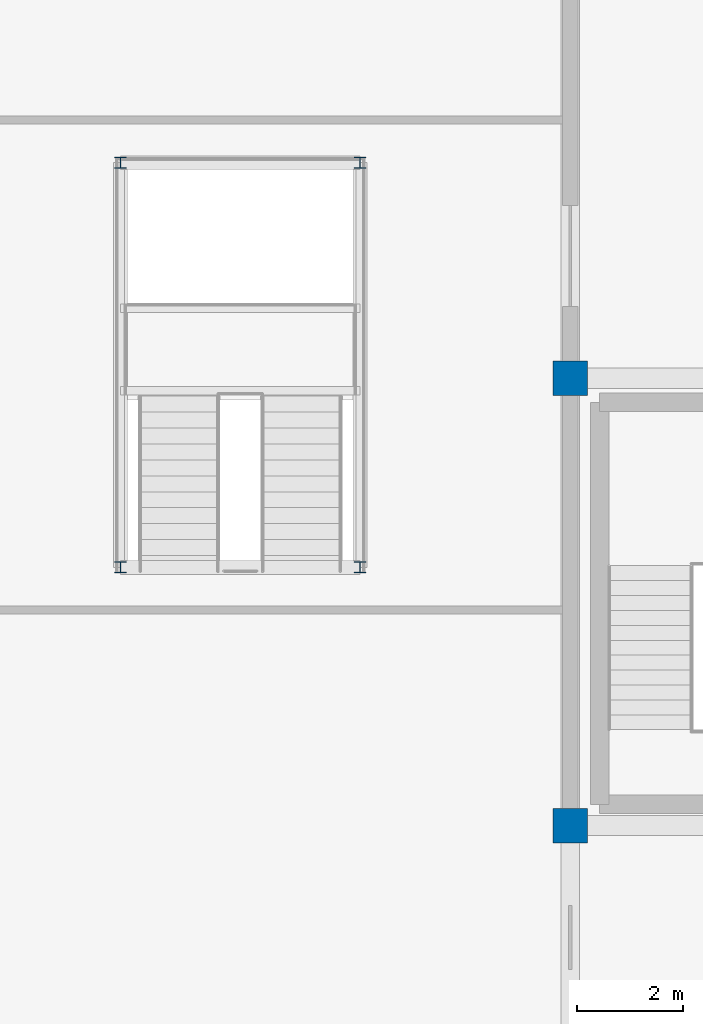
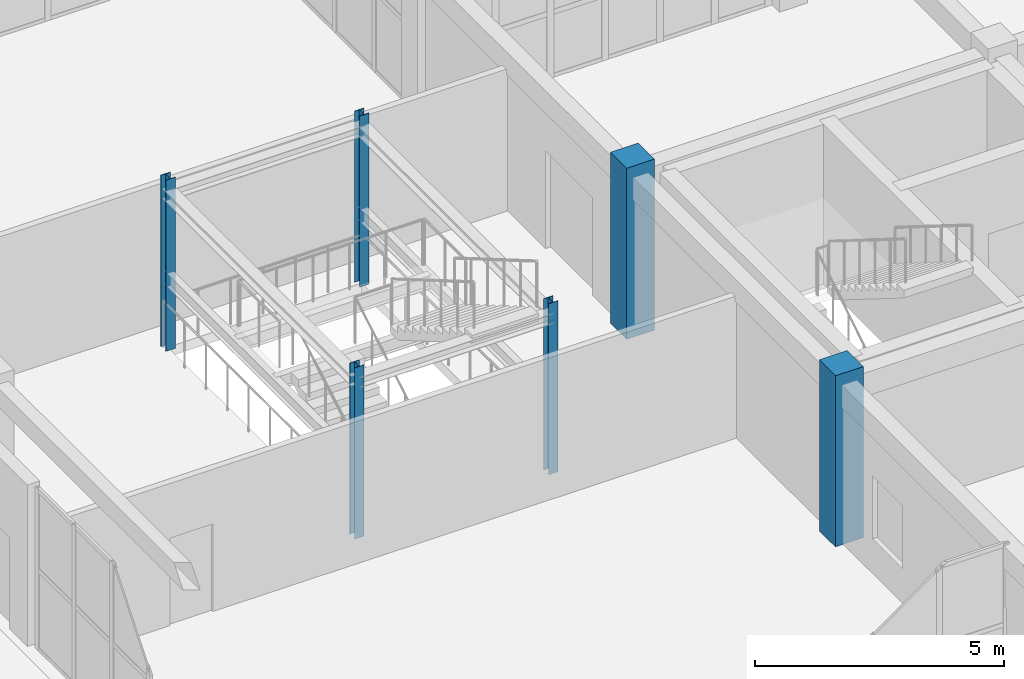
# One storey, part 2 of 90: 6 columns.
"""IFC4 building model written with IfcOpenShell, lengths in metres."""

from ifc_helpers import new_model, si_unit, direction, frame, origin, origin_2d, place, context, subcontext, project, spatial, rectangle, i_section, extrude, material, material_profile, profile_set, type_object, element, save


model = new_model("IFC4")

# Units and contexts
model_context = context("Model", 3, precision=1e-05, world=origin(), true_north=direction((0.0, 1.0)))
body_context = subcontext(model_context, "Body", "Model", "MODEL_VIEW")
ifc_project = project(units=[si_unit("LENGTHUNIT", "METRE"), si_unit("AREAUNIT", "SQUARE_METRE"), si_unit("VOLUMEUNIT", "CUBIC_METRE"), si_unit("PLANEANGLEUNIT", "RADIAN"), si_unit("MASSUNIT", "GRAM", prefix="KILO")], contexts=[model_context])

# Site, building, storey
site_placement = place(None, origin())
site = spatial("IfcSite", under=ifc_project, at=site_placement, CompositionType="ELEMENT")
building_placement = place(site_placement, origin())
building = spatial("IfcBuilding", under=site, at=building_placement, Name="Trelvath General Hospital", CompositionType="ELEMENT")
storey_placement = place(building_placement, frame((0.0, 0.0, 20.39990234375)))
storey = spatial("IfcBuildingStorey", under=building, at=storey_placement, Name="L05", CompositionType="ELEMENT", Elevation=20.39990234375)

# Columns
ifc_material_1 = material(Name="Concrete C40/50", Category="concrete")
ifc_material_profile_1 = material_profile(ifc_material_1, rectangle(XDim=0.64990234375, YDim=0.64990234375, at=origin_2d()), Name="RC650x650")
ifc_profile_set_1 = profile_set([ifc_material_profile_1], Name="Concrete C40/50")
column_type_1 = type_object("IfcColumnType", Name="Column RC650", PredefinedType="COLUMN", material=ifc_profile_set_1)
for number, where, z_axis, x_axis, name in (
    (1, (75.60009765625, 50.39990234375, 0.0), (0.0, 0.0, 1.0), (1.0, 0.0, 0.0), "Column C-10G L05"),
    (2, (75.60009765625, 58.800048828125, 0.0), (0.0, 0.0, 1.0), (1.0, 0.0, 0.0), "Column C-10H L05"),
):
    element("IfcColumn", number, at=place(storey_placement, frame(where, z_axis=z_axis, x_axis=x_axis)), inside=storey, type_object=column_type_1, Name=name, PredefinedType="COLUMN", context=body_context, shape_type="SweptSolid", body=[
        extrude(rectangle(XDim=0.64990234375, YDim=0.64990234375, at=origin_2d()), origin(), (0.0, 0.0, 1.0), 4.2001953125),
    ])
ifc_material_2 = material(Name="Steel S355", Category="steel")
ifc_material_profile_2 = material_profile(ifc_material_2, i_section(OverallWidth=0.219970703125, OverallDepth=0.2099609375, WebThickness=0.007080078125, FlangeThickness=0.010986328125, at=origin_2d()), Name="HEA220")
ifc_profile_set_2 = profile_set([ifc_material_profile_2], Name="Steel S355")
column_type_2 = type_object("IfcColumnType", Name="StairPost HEA220", PredefinedType="COLUMN", material=ifc_profile_set_2)
for number, where, z_axis, x_axis, name in (
    (3, (67.14990234375, 55.25, 0.0), (0.0, 0.0, 1.0), (1.0, 0.0, 0.0), "Atrium Stair Post CUBE-W 1 L05"),
    (4, (71.64990234375, 55.25, 0.0), (0.0, 0.0, 1.0), (1.0, 0.0, 0.0), "Atrium Stair Post CUBE-W 2 L05"),
    (5, (67.14990234375, 62.85009765625, 0.0), (0.0, 0.0, 1.0), (1.0, 0.0, 0.0), "Atrium Stair Post CUBE-W 3 L05"),
    (6, (71.64990234375, 62.85009765625, 0.0), (0.0, 0.0, 1.0), (1.0, 0.0, 0.0), "Atrium Stair Post CUBE-W 4 L05"),
):
    element("IfcColumn", number, at=place(storey_placement, frame(where, z_axis=z_axis, x_axis=x_axis)), inside=storey, type_object=column_type_2, Name=name, PredefinedType="COLUMN", context=body_context, shape_type="SweptSolid", body=[
        extrude(i_section(OverallWidth=0.219970703125, OverallDepth=0.2099609375, WebThickness=0.007080078125, FlangeThickness=0.010986328125, at=origin_2d()), origin(), (0.0, 0.0, 1.0), 4.2001953125),
    ])

save(model, "model.ifc")
